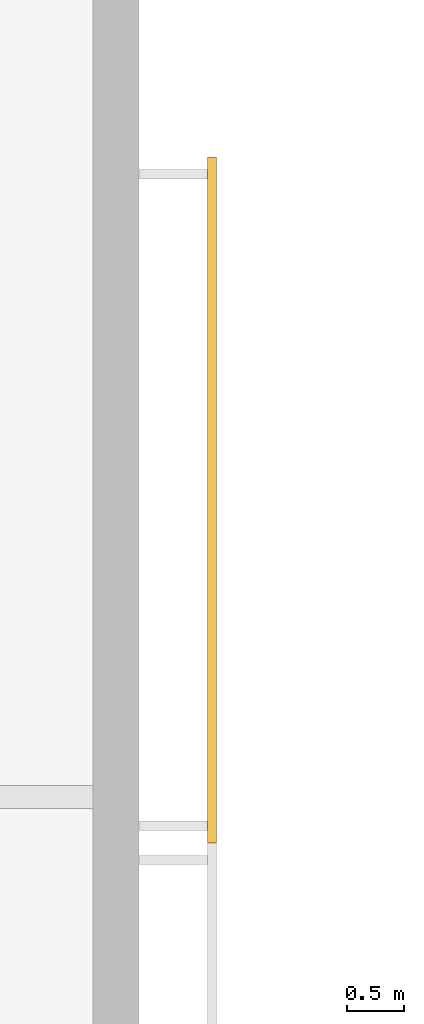
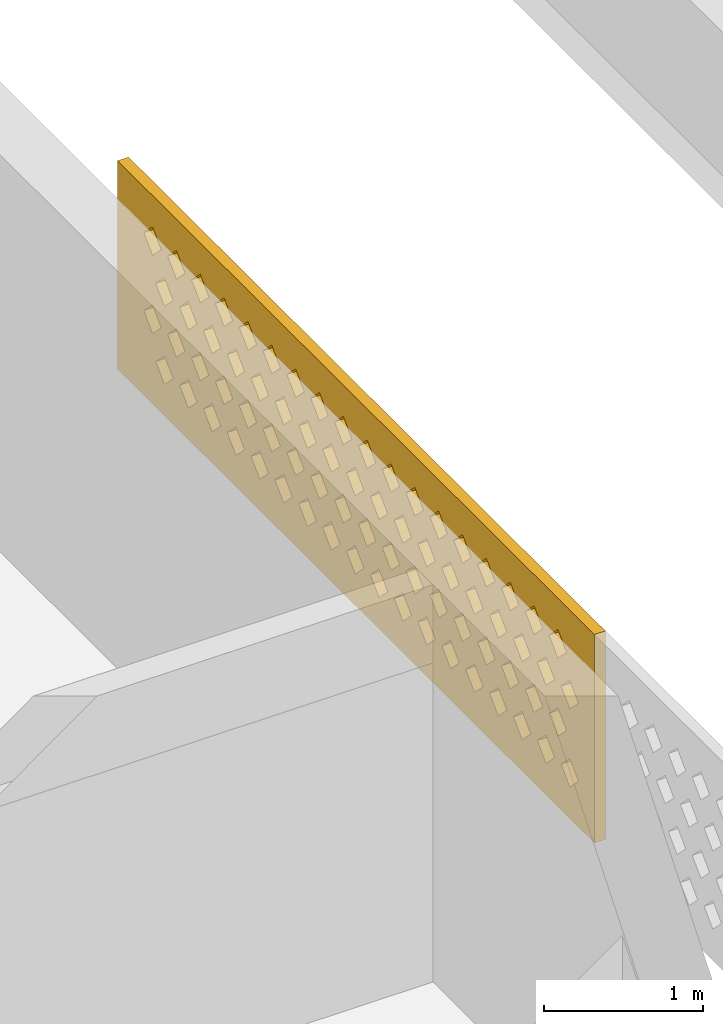
# One storey, part 17 of 18: 1 covering.
"""IFC4 building model written with IfcOpenShell, lengths in metres."""

from ifc_helpers import new_model, si_unit, direction, frame, origin, place, context, subcontext, project, spatial, polyline, outline, extrude, source, transform, mapped, material, material_profile, profile_set, type_object, element, save


model = new_model("IFC4")

# Units and contexts
model_context = context("Model", 3, precision=1e-05, world=origin(), true_north=direction((0.0, 1.0)))
body_context = subcontext(model_context, "Body", "Model", "MODEL_VIEW")
ifc_project = project(units=[si_unit("LENGTHUNIT", "METRE"), si_unit("AREAUNIT", "SQUARE_METRE"), si_unit("VOLUMEUNIT", "CUBIC_METRE"), si_unit("PLANEANGLEUNIT", "RADIAN"), si_unit("MASSUNIT", "GRAM", prefix="KILO")], contexts=[model_context])

# Site, building, storey
site_placement = place(None, origin())
site = spatial("IfcSite", under=ifc_project, at=site_placement, CompositionType="ELEMENT")
building_placement = place(site_placement, origin())
building = spatial("IfcBuilding", under=site, at=building_placement, Name="Poui Terraces", CompositionType="ELEMENT")
storey_placement = place(building_placement, frame((0.0, 0.0, 285.60009765625)))
storey = spatial("IfcBuildingStorey", under=building, at=storey_placement, Name="L79 CROWN", CompositionType="ELEMENT", Elevation=285.60009765625)

# Covering
ifc_material = material(Name="Terracotta screen", Category="masonry")
ifc_material_profile = material_profile(ifc_material, outline(polyline([(-3.0, -0.800048828125), (3.0, -0.800048828125), (3.0, 0.800048828125), (-3.0, 0.800048828125), (-3.0, -0.800048828125)]), holes=[polyline([(-2.800048828125, -0.449951171875), (-2.68994140625, -0.56005859375), (-2.580078125, -0.449951171875), (-2.68994140625, -0.340087890625), (-2.800048828125, -0.449951171875)]), polyline([(-2.5, -0.449951171875), (-2.389892578125, -0.56005859375), (-2.280029296875, -0.449951171875), (-2.389892578125, -0.340087890625), (-2.5, -0.449951171875)]), polyline([(-2.199951171875, -0.449951171875), (-2.090087890625, -0.56005859375), (-1.97998046875, -0.449951171875), (-2.090087890625, -0.340087890625), (-2.199951171875, -0.449951171875)]), polyline([(-1.89990234375, -0.449951171875), (-1.7900390625, -0.56005859375), (-1.679931640625, -0.449951171875), (-1.7900390625, -0.340087890625), (-1.89990234375, -0.449951171875)]), polyline([(-1.60009765625, -0.449951171875), (-1.489990234375, -0.56005859375), (-1.3798828125, -0.449951171875), (-1.489990234375, -0.340087890625), (-1.60009765625, -0.449951171875)]), polyline([(-1.300048828125, -0.449951171875), (-1.18994140625, -0.56005859375), (-1.080078125, -0.449951171875), (-1.18994140625, -0.340087890625), (-1.300048828125, -0.449951171875)]), polyline([(-1.0, -0.449951171875), (-0.889892578125, -0.56005859375), (-0.780029296875, -0.449951171875), (-0.889892578125, -0.340087890625), (-1.0, -0.449951171875)]), polyline([(-0.699951171875, -0.449951171875), (-0.590087890625, -0.56005859375), (-0.47998046875, -0.449951171875), (-0.590087890625, -0.340087890625), (-0.699951171875, -0.449951171875)]), polyline([(-0.39990234375, -0.449951171875), (-0.2900390625, -0.56005859375), (-0.179931640625, -0.449951171875), (-0.2900390625, -0.340087890625), (-0.39990234375, -0.449951171875)]), polyline([(-0.10009765625, -0.449951171875), (0.010009765625, -0.56005859375), (0.1201171875, -0.449951171875), (0.010009765625, -0.340087890625), (-0.10009765625, -0.449951171875)]), polyline([(0.199951171875, -0.449951171875), (0.31005859375, -0.56005859375), (0.419921875, -0.449951171875), (0.31005859375, -0.340087890625), (0.199951171875, -0.449951171875)]), polyline([(0.5, -0.449951171875), (0.610107421875, -0.56005859375), (0.719970703125, -0.449951171875), (0.610107421875, -0.340087890625), (0.5, -0.449951171875)]), polyline([(0.800048828125, -0.449951171875), (0.909912109375, -0.56005859375), (1.02001953125, -0.449951171875), (0.909912109375, -0.340087890625), (0.800048828125, -0.449951171875)]), polyline([(1.10009765625, -0.449951171875), (1.2099609375, -0.56005859375), (1.320068359375, -0.449951171875), (1.2099609375, -0.340087890625), (1.10009765625, -0.449951171875)]), polyline([(1.39990234375, -0.449951171875), (1.510009765625, -0.56005859375), (1.6201171875, -0.449951171875), (1.510009765625, -0.340087890625), (1.39990234375, -0.449951171875)]), polyline([(1.699951171875, -0.449951171875), (1.81005859375, -0.56005859375), (1.919921875, -0.449951171875), (1.81005859375, -0.340087890625), (1.699951171875, -0.449951171875)]), polyline([(2.0, -0.449951171875), (2.110107421875, -0.56005859375), (2.219970703125, -0.449951171875), (2.110107421875, -0.340087890625), (2.0, -0.449951171875)]), polyline([(2.300048828125, -0.449951171875), (2.409912109375, -0.56005859375), (2.52001953125, -0.449951171875), (2.409912109375, -0.340087890625), (2.300048828125, -0.449951171875)]), polyline([(-2.64990234375, -0.14990234375), (-2.5400390625, -0.260009765625), (-2.429931640625, -0.14990234375), (-2.5400390625, -0.0400390625), (-2.64990234375, -0.14990234375)]), polyline([(-2.35009765625, -0.14990234375), (-2.239990234375, -0.260009765625), (-2.1298828125, -0.14990234375), (-2.239990234375, -0.0400390625), (-2.35009765625, -0.14990234375)]), polyline([(-2.050048828125, -0.14990234375), (-1.93994140625, -0.260009765625), (-1.830078125, -0.14990234375), (-1.93994140625, -0.0400390625), (-2.050048828125, -0.14990234375)]), polyline([(-1.75, -0.14990234375), (-1.639892578125, -0.260009765625), (-1.530029296875, -0.14990234375), (-1.639892578125, -0.0400390625), (-1.75, -0.14990234375)]), polyline([(-1.449951171875, -0.14990234375), (-1.340087890625, -0.260009765625), (-1.22998046875, -0.14990234375), (-1.340087890625, -0.0400390625), (-1.449951171875, -0.14990234375)]), polyline([(-1.14990234375, -0.14990234375), (-1.0400390625, -0.260009765625), (-0.929931640625, -0.14990234375), (-1.0400390625, -0.0400390625), (-1.14990234375, -0.14990234375)]), polyline([(-0.85009765625, -0.14990234375), (-0.739990234375, -0.260009765625), (-0.6298828125, -0.14990234375), (-0.739990234375, -0.0400390625), (-0.85009765625, -0.14990234375)]), polyline([(-0.550048828125, -0.14990234375), (-0.43994140625, -0.260009765625), (-0.330078125, -0.14990234375), (-0.43994140625, -0.0400390625), (-0.550048828125, -0.14990234375)]), polyline([(-0.25, -0.14990234375), (-0.139892578125, -0.260009765625), (-0.030029296875, -0.14990234375), (-0.139892578125, -0.0400390625), (-0.25, -0.14990234375)]), polyline([(0.050048828125, -0.14990234375), (0.159912109375, -0.260009765625), (0.27001953125, -0.14990234375), (0.159912109375, -0.0400390625), (0.050048828125, -0.14990234375)]), polyline([(0.35009765625, -0.14990234375), (0.4599609375, -0.260009765625), (0.570068359375, -0.14990234375), (0.4599609375, -0.0400390625), (0.35009765625, -0.14990234375)]), polyline([(0.64990234375, -0.14990234375), (0.760009765625, -0.260009765625), (0.8701171875, -0.14990234375), (0.760009765625, -0.0400390625), (0.64990234375, -0.14990234375)]), polyline([(0.949951171875, -0.14990234375), (1.06005859375, -0.260009765625), (1.169921875, -0.14990234375), (1.06005859375, -0.0400390625), (0.949951171875, -0.14990234375)]), polyline([(1.25, -0.14990234375), (1.360107421875, -0.260009765625), (1.469970703125, -0.14990234375), (1.360107421875, -0.0400390625), (1.25, -0.14990234375)]), polyline([(1.550048828125, -0.14990234375), (1.659912109375, -0.260009765625), (1.77001953125, -0.14990234375), (1.659912109375, -0.0400390625), (1.550048828125, -0.14990234375)]), polyline([(1.85009765625, -0.14990234375), (1.9599609375, -0.260009765625), (2.070068359375, -0.14990234375), (1.9599609375, -0.0400390625), (1.85009765625, -0.14990234375)]), polyline([(2.14990234375, -0.14990234375), (2.260009765625, -0.260009765625), (2.3701171875, -0.14990234375), (2.260009765625, -0.0400390625), (2.14990234375, -0.14990234375)]), polyline([(2.449951171875, -0.14990234375), (2.56005859375, -0.260009765625), (2.669921875, -0.14990234375), (2.56005859375, -0.0400390625), (2.449951171875, -0.14990234375)]), polyline([(-2.800048828125, 0.14990234375), (-2.68994140625, 0.0400390625), (-2.580078125, 0.14990234375), (-2.68994140625, 0.260009765625), (-2.800048828125, 0.14990234375)]), polyline([(-2.5, 0.14990234375), (-2.389892578125, 0.0400390625), (-2.280029296875, 0.14990234375), (-2.389892578125, 0.260009765625), (-2.5, 0.14990234375)]), polyline([(-2.199951171875, 0.14990234375), (-2.090087890625, 0.0400390625), (-1.97998046875, 0.14990234375), (-2.090087890625, 0.260009765625), (-2.199951171875, 0.14990234375)]), polyline([(-1.89990234375, 0.14990234375), (-1.7900390625, 0.0400390625), (-1.679931640625, 0.14990234375), (-1.7900390625, 0.260009765625), (-1.89990234375, 0.14990234375)]), polyline([(-1.60009765625, 0.14990234375), (-1.489990234375, 0.0400390625), (-1.3798828125, 0.14990234375), (-1.489990234375, 0.260009765625), (-1.60009765625, 0.14990234375)]), polyline([(-1.300048828125, 0.14990234375), (-1.18994140625, 0.0400390625), (-1.080078125, 0.14990234375), (-1.18994140625, 0.260009765625), (-1.300048828125, 0.14990234375)]), polyline([(-1.0, 0.14990234375), (-0.889892578125, 0.0400390625), (-0.780029296875, 0.14990234375), (-0.889892578125, 0.260009765625), (-1.0, 0.14990234375)]), polyline([(-0.699951171875, 0.14990234375), (-0.590087890625, 0.0400390625), (-0.47998046875, 0.14990234375), (-0.590087890625, 0.260009765625), (-0.699951171875, 0.14990234375)]), polyline([(-0.39990234375, 0.14990234375), (-0.2900390625, 0.0400390625), (-0.179931640625, 0.14990234375), (-0.2900390625, 0.260009765625), (-0.39990234375, 0.14990234375)]), polyline([(-0.10009765625, 0.14990234375), (0.010009765625, 0.0400390625), (0.1201171875, 0.14990234375), (0.010009765625, 0.260009765625), (-0.10009765625, 0.14990234375)]), polyline([(0.199951171875, 0.14990234375), (0.31005859375, 0.0400390625), (0.419921875, 0.14990234375), (0.31005859375, 0.260009765625), (0.199951171875, 0.14990234375)]), polyline([(0.5, 0.14990234375), (0.610107421875, 0.0400390625), (0.719970703125, 0.14990234375), (0.610107421875, 0.260009765625), (0.5, 0.14990234375)]), polyline([(0.800048828125, 0.14990234375), (0.909912109375, 0.0400390625), (1.02001953125, 0.14990234375), (0.909912109375, 0.260009765625), (0.800048828125, 0.14990234375)]), polyline([(1.10009765625, 0.14990234375), (1.2099609375, 0.0400390625), (1.320068359375, 0.14990234375), (1.2099609375, 0.260009765625), (1.10009765625, 0.14990234375)]), polyline([(1.39990234375, 0.14990234375), (1.510009765625, 0.0400390625), (1.6201171875, 0.14990234375), (1.510009765625, 0.260009765625), (1.39990234375, 0.14990234375)]), polyline([(1.699951171875, 0.14990234375), (1.81005859375, 0.0400390625), (1.919921875, 0.14990234375), (1.81005859375, 0.260009765625), (1.699951171875, 0.14990234375)]), polyline([(2.0, 0.14990234375), (2.110107421875, 0.0400390625), (2.219970703125, 0.14990234375), (2.110107421875, 0.260009765625), (2.0, 0.14990234375)]), polyline([(2.300048828125, 0.14990234375), (2.409912109375, 0.0400390625), (2.52001953125, 0.14990234375), (2.409912109375, 0.260009765625), (2.300048828125, 0.14990234375)]), polyline([(-2.64990234375, 0.449951171875), (-2.5400390625, 0.340087890625), (-2.429931640625, 0.449951171875), (-2.5400390625, 0.56005859375), (-2.64990234375, 0.449951171875)]), polyline([(-2.35009765625, 0.449951171875), (-2.239990234375, 0.340087890625), (-2.1298828125, 0.449951171875), (-2.239990234375, 0.56005859375), (-2.35009765625, 0.449951171875)]), polyline([(-2.050048828125, 0.449951171875), (-1.93994140625, 0.340087890625), (-1.830078125, 0.449951171875), (-1.93994140625, 0.56005859375), (-2.050048828125, 0.449951171875)]), polyline([(-1.75, 0.449951171875), (-1.639892578125, 0.340087890625), (-1.530029296875, 0.449951171875), (-1.639892578125, 0.56005859375), (-1.75, 0.449951171875)]), polyline([(-1.449951171875, 0.449951171875), (-1.340087890625, 0.340087890625), (-1.22998046875, 0.449951171875), (-1.340087890625, 0.56005859375), (-1.449951171875, 0.449951171875)]), polyline([(-1.14990234375, 0.449951171875), (-1.0400390625, 0.340087890625), (-0.929931640625, 0.449951171875), (-1.0400390625, 0.56005859375), (-1.14990234375, 0.449951171875)]), polyline([(-0.85009765625, 0.449951171875), (-0.739990234375, 0.340087890625), (-0.6298828125, 0.449951171875), (-0.739990234375, 0.56005859375), (-0.85009765625, 0.449951171875)]), polyline([(-0.550048828125, 0.449951171875), (-0.43994140625, 0.340087890625), (-0.330078125, 0.449951171875), (-0.43994140625, 0.56005859375), (-0.550048828125, 0.449951171875)]), polyline([(-0.25, 0.449951171875), (-0.139892578125, 0.340087890625), (-0.030029296875, 0.449951171875), (-0.139892578125, 0.56005859375), (-0.25, 0.449951171875)]), polyline([(0.050048828125, 0.449951171875), (0.159912109375, 0.340087890625), (0.27001953125, 0.449951171875), (0.159912109375, 0.56005859375), (0.050048828125, 0.449951171875)]), polyline([(0.35009765625, 0.449951171875), (0.4599609375, 0.340087890625), (0.570068359375, 0.449951171875), (0.4599609375, 0.56005859375), (0.35009765625, 0.449951171875)]), polyline([(0.64990234375, 0.449951171875), (0.760009765625, 0.340087890625), (0.8701171875, 0.449951171875), (0.760009765625, 0.56005859375), (0.64990234375, 0.449951171875)]), polyline([(0.949951171875, 0.449951171875), (1.06005859375, 0.340087890625), (1.169921875, 0.449951171875), (1.06005859375, 0.56005859375), (0.949951171875, 0.449951171875)]), polyline([(1.25, 0.449951171875), (1.360107421875, 0.340087890625), (1.469970703125, 0.449951171875), (1.360107421875, 0.56005859375), (1.25, 0.449951171875)]), polyline([(1.550048828125, 0.449951171875), (1.659912109375, 0.340087890625), (1.77001953125, 0.449951171875), (1.659912109375, 0.56005859375), (1.550048828125, 0.449951171875)]), polyline([(1.85009765625, 0.449951171875), (1.9599609375, 0.340087890625), (2.070068359375, 0.449951171875), (1.9599609375, 0.56005859375), (1.85009765625, 0.449951171875)]), polyline([(2.14990234375, 0.449951171875), (2.260009765625, 0.340087890625), (2.3701171875, 0.449951171875), (2.260009765625, 0.56005859375), (2.14990234375, 0.449951171875)]), polyline([(2.449951171875, 0.449951171875), (2.56005859375, 0.340087890625), (2.669921875, 0.449951171875), (2.56005859375, 0.56005859375), (2.449951171875, 0.449951171875)])]), Name="TERRACOTTA SOLAR SCREEN 6000X1600")
ifc_profile_set = profile_set([ifc_material_profile], Name="Terracotta screen")
covering_type = type_object("IfcCoveringType", Name="TERRACOTTA SOLAR SCREEN 6000X1600", PredefinedType="CLADDING", material=ifc_profile_set)
shared_shape = source(origin(), body_context, "Body", "SweptSolid", [
    extrude(outline(polyline([(-3.0, -0.800048828125), (3.0, -0.800048828125), (3.0, 0.800048828125), (-3.0, 0.800048828125), (-3.0, -0.800048828125)]), holes=[polyline([(-2.800048828125, -0.449951171875), (-2.68994140625, -0.56005859375), (-2.580078125, -0.449951171875), (-2.68994140625, -0.340087890625), (-2.800048828125, -0.449951171875)]), polyline([(-2.5, -0.449951171875), (-2.389892578125, -0.56005859375), (-2.280029296875, -0.449951171875), (-2.389892578125, -0.340087890625), (-2.5, -0.449951171875)]), polyline([(-2.199951171875, -0.449951171875), (-2.090087890625, -0.56005859375), (-1.97998046875, -0.449951171875), (-2.090087890625, -0.340087890625), (-2.199951171875, -0.449951171875)]), polyline([(-1.89990234375, -0.449951171875), (-1.7900390625, -0.56005859375), (-1.679931640625, -0.449951171875), (-1.7900390625, -0.340087890625), (-1.89990234375, -0.449951171875)]), polyline([(-1.60009765625, -0.449951171875), (-1.489990234375, -0.56005859375), (-1.3798828125, -0.449951171875), (-1.489990234375, -0.340087890625), (-1.60009765625, -0.449951171875)]), polyline([(-1.300048828125, -0.449951171875), (-1.18994140625, -0.56005859375), (-1.080078125, -0.449951171875), (-1.18994140625, -0.340087890625), (-1.300048828125, -0.449951171875)]), polyline([(-1.0, -0.449951171875), (-0.889892578125, -0.56005859375), (-0.780029296875, -0.449951171875), (-0.889892578125, -0.340087890625), (-1.0, -0.449951171875)]), polyline([(-0.699951171875, -0.449951171875), (-0.590087890625, -0.56005859375), (-0.47998046875, -0.449951171875), (-0.590087890625, -0.340087890625), (-0.699951171875, -0.449951171875)]), polyline([(-0.39990234375, -0.449951171875), (-0.2900390625, -0.56005859375), (-0.179931640625, -0.449951171875), (-0.2900390625, -0.340087890625), (-0.39990234375, -0.449951171875)]), polyline([(-0.10009765625, -0.449951171875), (0.010009765625, -0.56005859375), (0.1201171875, -0.449951171875), (0.010009765625, -0.340087890625), (-0.10009765625, -0.449951171875)]), polyline([(0.199951171875, -0.449951171875), (0.31005859375, -0.56005859375), (0.419921875, -0.449951171875), (0.31005859375, -0.340087890625), (0.199951171875, -0.449951171875)]), polyline([(0.5, -0.449951171875), (0.610107421875, -0.56005859375), (0.719970703125, -0.449951171875), (0.610107421875, -0.340087890625), (0.5, -0.449951171875)]), polyline([(0.800048828125, -0.449951171875), (0.909912109375, -0.56005859375), (1.02001953125, -0.449951171875), (0.909912109375, -0.340087890625), (0.800048828125, -0.449951171875)]), polyline([(1.10009765625, -0.449951171875), (1.2099609375, -0.56005859375), (1.320068359375, -0.449951171875), (1.2099609375, -0.340087890625), (1.10009765625, -0.449951171875)]), polyline([(1.39990234375, -0.449951171875), (1.510009765625, -0.56005859375), (1.6201171875, -0.449951171875), (1.510009765625, -0.340087890625), (1.39990234375, -0.449951171875)]), polyline([(1.699951171875, -0.449951171875), (1.81005859375, -0.56005859375), (1.919921875, -0.449951171875), (1.81005859375, -0.340087890625), (1.699951171875, -0.449951171875)]), polyline([(2.0, -0.449951171875), (2.110107421875, -0.56005859375), (2.219970703125, -0.449951171875), (2.110107421875, -0.340087890625), (2.0, -0.449951171875)]), polyline([(2.300048828125, -0.449951171875), (2.409912109375, -0.56005859375), (2.52001953125, -0.449951171875), (2.409912109375, -0.340087890625), (2.300048828125, -0.449951171875)]), polyline([(-2.64990234375, -0.14990234375), (-2.5400390625, -0.260009765625), (-2.429931640625, -0.14990234375), (-2.5400390625, -0.0400390625), (-2.64990234375, -0.14990234375)]), polyline([(-2.35009765625, -0.14990234375), (-2.239990234375, -0.260009765625), (-2.1298828125, -0.14990234375), (-2.239990234375, -0.0400390625), (-2.35009765625, -0.14990234375)]), polyline([(-2.050048828125, -0.14990234375), (-1.93994140625, -0.260009765625), (-1.830078125, -0.14990234375), (-1.93994140625, -0.0400390625), (-2.050048828125, -0.14990234375)]), polyline([(-1.75, -0.14990234375), (-1.639892578125, -0.260009765625), (-1.530029296875, -0.14990234375), (-1.639892578125, -0.0400390625), (-1.75, -0.14990234375)]), polyline([(-1.449951171875, -0.14990234375), (-1.340087890625, -0.260009765625), (-1.22998046875, -0.14990234375), (-1.340087890625, -0.0400390625), (-1.449951171875, -0.14990234375)]), polyline([(-1.14990234375, -0.14990234375), (-1.0400390625, -0.260009765625), (-0.929931640625, -0.14990234375), (-1.0400390625, -0.0400390625), (-1.14990234375, -0.14990234375)]), polyline([(-0.85009765625, -0.14990234375), (-0.739990234375, -0.260009765625), (-0.6298828125, -0.14990234375), (-0.739990234375, -0.0400390625), (-0.85009765625, -0.14990234375)]), polyline([(-0.550048828125, -0.14990234375), (-0.43994140625, -0.260009765625), (-0.330078125, -0.14990234375), (-0.43994140625, -0.0400390625), (-0.550048828125, -0.14990234375)]), polyline([(-0.25, -0.14990234375), (-0.139892578125, -0.260009765625), (-0.030029296875, -0.14990234375), (-0.139892578125, -0.0400390625), (-0.25, -0.14990234375)]), polyline([(0.050048828125, -0.14990234375), (0.159912109375, -0.260009765625), (0.27001953125, -0.14990234375), (0.159912109375, -0.0400390625), (0.050048828125, -0.14990234375)]), polyline([(0.35009765625, -0.14990234375), (0.4599609375, -0.260009765625), (0.570068359375, -0.14990234375), (0.4599609375, -0.0400390625), (0.35009765625, -0.14990234375)]), polyline([(0.64990234375, -0.14990234375), (0.760009765625, -0.260009765625), (0.8701171875, -0.14990234375), (0.760009765625, -0.0400390625), (0.64990234375, -0.14990234375)]), polyline([(0.949951171875, -0.14990234375), (1.06005859375, -0.260009765625), (1.169921875, -0.14990234375), (1.06005859375, -0.0400390625), (0.949951171875, -0.14990234375)]), polyline([(1.25, -0.14990234375), (1.360107421875, -0.260009765625), (1.469970703125, -0.14990234375), (1.360107421875, -0.0400390625), (1.25, -0.14990234375)]), polyline([(1.550048828125, -0.14990234375), (1.659912109375, -0.260009765625), (1.77001953125, -0.14990234375), (1.659912109375, -0.0400390625), (1.550048828125, -0.14990234375)]), polyline([(1.85009765625, -0.14990234375), (1.9599609375, -0.260009765625), (2.070068359375, -0.14990234375), (1.9599609375, -0.0400390625), (1.85009765625, -0.14990234375)]), polyline([(2.14990234375, -0.14990234375), (2.260009765625, -0.260009765625), (2.3701171875, -0.14990234375), (2.260009765625, -0.0400390625), (2.14990234375, -0.14990234375)]), polyline([(2.449951171875, -0.14990234375), (2.56005859375, -0.260009765625), (2.669921875, -0.14990234375), (2.56005859375, -0.0400390625), (2.449951171875, -0.14990234375)]), polyline([(-2.800048828125, 0.14990234375), (-2.68994140625, 0.0400390625), (-2.580078125, 0.14990234375), (-2.68994140625, 0.260009765625), (-2.800048828125, 0.14990234375)]), polyline([(-2.5, 0.14990234375), (-2.389892578125, 0.0400390625), (-2.280029296875, 0.14990234375), (-2.389892578125, 0.260009765625), (-2.5, 0.14990234375)]), polyline([(-2.199951171875, 0.14990234375), (-2.090087890625, 0.0400390625), (-1.97998046875, 0.14990234375), (-2.090087890625, 0.260009765625), (-2.199951171875, 0.14990234375)]), polyline([(-1.89990234375, 0.14990234375), (-1.7900390625, 0.0400390625), (-1.679931640625, 0.14990234375), (-1.7900390625, 0.260009765625), (-1.89990234375, 0.14990234375)]), polyline([(-1.60009765625, 0.14990234375), (-1.489990234375, 0.0400390625), (-1.3798828125, 0.14990234375), (-1.489990234375, 0.260009765625), (-1.60009765625, 0.14990234375)]), polyline([(-1.300048828125, 0.14990234375), (-1.18994140625, 0.0400390625), (-1.080078125, 0.14990234375), (-1.18994140625, 0.260009765625), (-1.300048828125, 0.14990234375)]), polyline([(-1.0, 0.14990234375), (-0.889892578125, 0.0400390625), (-0.780029296875, 0.14990234375), (-0.889892578125, 0.260009765625), (-1.0, 0.14990234375)]), polyline([(-0.699951171875, 0.14990234375), (-0.590087890625, 0.0400390625), (-0.47998046875, 0.14990234375), (-0.590087890625, 0.260009765625), (-0.699951171875, 0.14990234375)]), polyline([(-0.39990234375, 0.14990234375), (-0.2900390625, 0.0400390625), (-0.179931640625, 0.14990234375), (-0.2900390625, 0.260009765625), (-0.39990234375, 0.14990234375)]), polyline([(-0.10009765625, 0.14990234375), (0.010009765625, 0.0400390625), (0.1201171875, 0.14990234375), (0.010009765625, 0.260009765625), (-0.10009765625, 0.14990234375)]), polyline([(0.199951171875, 0.14990234375), (0.31005859375, 0.0400390625), (0.419921875, 0.14990234375), (0.31005859375, 0.260009765625), (0.199951171875, 0.14990234375)]), polyline([(0.5, 0.14990234375), (0.610107421875, 0.0400390625), (0.719970703125, 0.14990234375), (0.610107421875, 0.260009765625), (0.5, 0.14990234375)]), polyline([(0.800048828125, 0.14990234375), (0.909912109375, 0.0400390625), (1.02001953125, 0.14990234375), (0.909912109375, 0.260009765625), (0.800048828125, 0.14990234375)]), polyline([(1.10009765625, 0.14990234375), (1.2099609375, 0.0400390625), (1.320068359375, 0.14990234375), (1.2099609375, 0.260009765625), (1.10009765625, 0.14990234375)]), polyline([(1.39990234375, 0.14990234375), (1.510009765625, 0.0400390625), (1.6201171875, 0.14990234375), (1.510009765625, 0.260009765625), (1.39990234375, 0.14990234375)]), polyline([(1.699951171875, 0.14990234375), (1.81005859375, 0.0400390625), (1.919921875, 0.14990234375), (1.81005859375, 0.260009765625), (1.699951171875, 0.14990234375)]), polyline([(2.0, 0.14990234375), (2.110107421875, 0.0400390625), (2.219970703125, 0.14990234375), (2.110107421875, 0.260009765625), (2.0, 0.14990234375)]), polyline([(2.300048828125, 0.14990234375), (2.409912109375, 0.0400390625), (2.52001953125, 0.14990234375), (2.409912109375, 0.260009765625), (2.300048828125, 0.14990234375)]), polyline([(-2.64990234375, 0.449951171875), (-2.5400390625, 0.340087890625), (-2.429931640625, 0.449951171875), (-2.5400390625, 0.56005859375), (-2.64990234375, 0.449951171875)]), polyline([(-2.35009765625, 0.449951171875), (-2.239990234375, 0.340087890625), (-2.1298828125, 0.449951171875), (-2.239990234375, 0.56005859375), (-2.35009765625, 0.449951171875)]), polyline([(-2.050048828125, 0.449951171875), (-1.93994140625, 0.340087890625), (-1.830078125, 0.449951171875), (-1.93994140625, 0.56005859375), (-2.050048828125, 0.449951171875)]), polyline([(-1.75, 0.449951171875), (-1.639892578125, 0.340087890625), (-1.530029296875, 0.449951171875), (-1.639892578125, 0.56005859375), (-1.75, 0.449951171875)]), polyline([(-1.449951171875, 0.449951171875), (-1.340087890625, 0.340087890625), (-1.22998046875, 0.449951171875), (-1.340087890625, 0.56005859375), (-1.449951171875, 0.449951171875)]), polyline([(-1.14990234375, 0.449951171875), (-1.0400390625, 0.340087890625), (-0.929931640625, 0.449951171875), (-1.0400390625, 0.56005859375), (-1.14990234375, 0.449951171875)]), polyline([(-0.85009765625, 0.449951171875), (-0.739990234375, 0.340087890625), (-0.6298828125, 0.449951171875), (-0.739990234375, 0.56005859375), (-0.85009765625, 0.449951171875)]), polyline([(-0.550048828125, 0.449951171875), (-0.43994140625, 0.340087890625), (-0.330078125, 0.449951171875), (-0.43994140625, 0.56005859375), (-0.550048828125, 0.449951171875)]), polyline([(-0.25, 0.449951171875), (-0.139892578125, 0.340087890625), (-0.030029296875, 0.449951171875), (-0.139892578125, 0.56005859375), (-0.25, 0.449951171875)]), polyline([(0.050048828125, 0.449951171875), (0.159912109375, 0.340087890625), (0.27001953125, 0.449951171875), (0.159912109375, 0.56005859375), (0.050048828125, 0.449951171875)]), polyline([(0.35009765625, 0.449951171875), (0.4599609375, 0.340087890625), (0.570068359375, 0.449951171875), (0.4599609375, 0.56005859375), (0.35009765625, 0.449951171875)]), polyline([(0.64990234375, 0.449951171875), (0.760009765625, 0.340087890625), (0.8701171875, 0.449951171875), (0.760009765625, 0.56005859375), (0.64990234375, 0.449951171875)]), polyline([(0.949951171875, 0.449951171875), (1.06005859375, 0.340087890625), (1.169921875, 0.449951171875), (1.06005859375, 0.56005859375), (0.949951171875, 0.449951171875)]), polyline([(1.25, 0.449951171875), (1.360107421875, 0.340087890625), (1.469970703125, 0.449951171875), (1.360107421875, 0.56005859375), (1.25, 0.449951171875)]), polyline([(1.550048828125, 0.449951171875), (1.659912109375, 0.340087890625), (1.77001953125, 0.449951171875), (1.659912109375, 0.56005859375), (1.550048828125, 0.449951171875)]), polyline([(1.85009765625, 0.449951171875), (1.9599609375, 0.340087890625), (2.070068359375, 0.449951171875), (1.9599609375, 0.56005859375), (1.85009765625, 0.449951171875)]), polyline([(2.14990234375, 0.449951171875), (2.260009765625, 0.340087890625), (2.3701171875, 0.449951171875), (2.260009765625, 0.56005859375), (2.14990234375, 0.449951171875)]), polyline([(2.449951171875, 0.449951171875), (2.56005859375, 0.340087890625), (2.669921875, 0.449951171875), (2.56005859375, 0.56005859375), (2.449951171875, 0.449951171875)])]), origin(), (0.0, 0.0, 1.0), 0.079833984375),
])
covering_placement = place(storey_placement, frame((48.800048828125, 33.0, 1.699951171875), z_axis=(1.0, 0.0, 0.0), x_axis=(0.0, 1.0, 0.0)))
element("IfcCovering", 1, at=covering_placement, inside=storey, type_object=covering_type, Name="SOLAR SCREEN", PredefinedType="CLADDING", context=body_context, shape_type="MappedRepresentation", body=[
    mapped(shared_shape, transform((0.0, 0.0, 0.0))),
])

save(model, "model.ifc")
